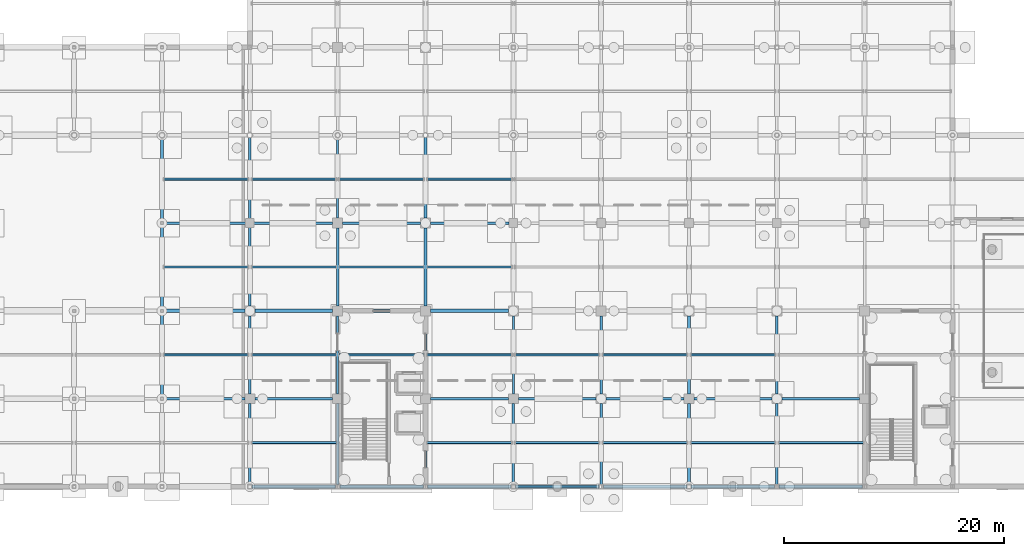
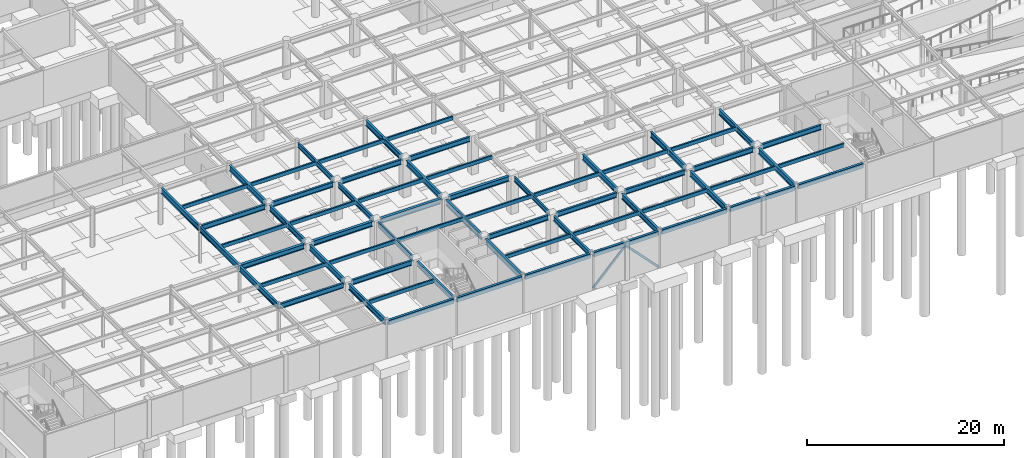
# One storey, part 45 of 105: 66 beams, 2 members.
"""IFC4 building model written with IfcOpenShell, lengths in metres."""

import ifcopenshell
import ifcopenshell.guid

model = None  # the IFC model being written
_history = None  # IfcOwnerHistory: only IFC2X3 demands one
_inside = {}  # id of a spatial element -> (the spatial element, [elements in it])
_under = {}  # id of a project, library or spatial element -> (it, [spatial elements below it])
_declared = {}  # id of a project -> (the project, [libraries it declares])
_typed = {}  # id of a type object -> (the type object, [elements of that type])
_made_of = {}  # id of a material, layer set ... -> (it, [elements and type objects made of it])


def new_model(schema):
    """Start an empty IFC model of exactly this schema.

    Asked for "IFC4X3", IfcOpenShell would pick the latest addendum, in which some entities
    have other attributes; the version numbers below select the first issue.
    IFC2X3 requires an IfcOwnerHistory on every rooted entity: one is made here for all.
    """
    global model, _history
    if schema == "IFC4X3":
        model = ifcopenshell.file(schema_version=(4, 3, 0, 0))
    else:
        model = ifcopenshell.file(schema=schema)
    _inside.clear()
    _under.clear()
    _declared.clear()
    _typed.clear()
    _made_of.clear()
    _history = None
    if model.schema == "IFC2X3":
        org = make("IfcOrganization", Name="unknown")
        user = make(
            "IfcPersonAndOrganization",
            ThePerson=make("IfcPerson", FamilyName="unknown"),
            TheOrganization=org,
        )
        app = make(
            "IfcApplication",
            ApplicationDeveloper=org,
            Version="unknown",
            ApplicationFullName="unknown",
            ApplicationIdentifier="unknown",
        )
        _history = make(
            "IfcOwnerHistory",
            OwningUser=user,
            OwningApplication=app,
            ChangeAction="ADDED",
            CreationDate=0,
        )
    return model


def make(cls, **values):
    """One entity of the class cls with the attributes given. An attribute that is None is left unset."""
    return model.create_entity(
        cls, **{name: value for name, value in values.items() if value is not None}
    )


def rooted(cls, **values):
    """An entity with a GlobalId (a new one), such as an element, a storey or a relation."""
    return make(cls, GlobalId=ifcopenshell.guid.new(), OwnerHistory=_history, **values)


def si_unit(unit_type, name, prefix=None):
    """IfcSIUnit, for example si_unit("LENGTHUNIT", "METRE", prefix="MILLI")."""
    return make("IfcSIUnit", UnitType=unit_type, Prefix=prefix, Name=name)


def assignment(units):
    """IfcUnitAssignment: the units of a project."""
    return None if units is None else make("IfcUnitAssignment", Units=units)


def point(xyz):
    """IfcCartesianPoint."""
    return None if xyz is None else make("IfcCartesianPoint", Coordinates=xyz)


def direction(xyz):
    """IfcDirection."""
    return None if xyz is None else make("IfcDirection", DirectionRatios=xyz)


def frame(location, z_axis=None, x_axis=None):
    """IfcAxis2Placement3D, a coordinate frame: its origin and axes. An axis left out is left unset."""
    return make(
        "IfcAxis2Placement3D",
        Location=point(location),
        Axis=direction(z_axis),
        RefDirection=direction(x_axis),
    )


def frame_2d(location, x_axis=None):
    """IfcAxis2Placement2D, a coordinate frame in the plane: its origin and x axis."""
    return make(
        "IfcAxis2Placement2D", Location=point(location), RefDirection=direction(x_axis)
    )


def origin():
    """The frame at (0, 0, 0) with its axes left unset."""
    return frame((0.0, 0.0, 0.0))


def origin_2d():
    """The frame at (0, 0) in the plane with its x axis left unset."""
    return frame_2d((0.0, 0.0))


def place(relative_to, where):
    """IfcLocalPlacement: puts the frame where relative to a parent placement (None: the world)."""
    return make(
        "IfcLocalPlacement", PlacementRelTo=relative_to, RelativePlacement=where
    )


def context(
    kind, dimensions, precision=None, world=None, true_north=None, identifier=None
):
    """IfcGeometricRepresentationContext, for example the 3D "Model" context."""
    return make(
        "IfcGeometricRepresentationContext",
        ContextIdentifier=identifier,
        ContextType=kind,
        CoordinateSpaceDimension=dimensions,
        Precision=precision,
        WorldCoordinateSystem=world,
        TrueNorth=true_north,
    )


def subcontext(parent, identifier, kind, view, scale=None):
    """IfcGeometricRepresentationSubContext, for example "Body" below "Model"."""
    return make(
        "IfcGeometricRepresentationSubContext",
        ContextIdentifier=identifier,
        ContextType=kind,
        ParentContext=parent,
        TargetScale=scale,
        TargetView=view,
    )


def project(units=None, contexts=None):
    """IfcProject with its units and contexts."""
    return rooted(
        "IfcProject",
        Name="project",
        RepresentationContexts=contexts,
        UnitsInContext=assignment(units),
    )


def spatial(cls, under=None, at=None, **own):
    """A site, building, storey or space (cls), placed at a placement, below another one or the project."""
    s = rooted(cls, ObjectPlacement=at, **own)
    if under is not None:
        _under.setdefault(under.id(), (under, []))[1].append(s)
    return s


def profile(cls, at=None, kind="AREA", **sizes):
    """A parametric profile (cls). Its sizes go by their IFC names, for example OverallWidth=200.0."""
    return make(cls, ProfileType=kind, Position=at, **sizes)


def hollow_rectangle(**sizes):
    """IfcRectangleHollowProfileDef."""
    return profile("IfcRectangleHollowProfileDef", **sizes)


def i_section(**sizes):
    """IfcIShapeProfileDef."""
    return profile("IfcIShapeProfileDef", **sizes)


def extrude(swept, where, along, depth):
    """IfcExtrudedAreaSolid: the profile swept, set in the frame where, extruded along a direction by depth."""
    return make(
        "IfcExtrudedAreaSolid",
        SweptArea=swept,
        Position=where,
        ExtrudedDirection=direction(along),
        Depth=depth,
    )


def shape(context_of_items, identifier, shape_type, items):
    """IfcShapeRepresentation: the items that make up one representation, for example the "Body"."""
    return make(
        "IfcShapeRepresentation",
        ContextOfItems=context_of_items,
        RepresentationIdentifier=identifier,
        RepresentationType=shape_type,
        Items=items,
    )


def material(Name=None, Category=None):
    """IfcMaterial."""
    return make("IfcMaterial", Name=Name, Category=Category)


def material_profile(
    of_material, cross_section, Name=None, Category=None, Priority=None
):
    """IfcMaterialProfile: a cross section and its material."""
    return make(
        "IfcMaterialProfile",
        Name=Name,
        Material=of_material,
        Profile=cross_section,
        Priority=Priority,
        Category=Category,
    )


def profile_set(profiles, Name=None, composite=None):
    """IfcMaterialProfileSet."""
    return make(
        "IfcMaterialProfileSet",
        Name=Name,
        MaterialProfiles=profiles,
        CompositeProfile=composite,
    )


def made_of(thing, what):
    """Note that an element or type object is made of a material, layer set ...; save() writes the relation."""
    if what is not None:
        _made_of.setdefault(what.id(), (what, []))[1].append(thing)
    return thing


def type_object(cls, material=None, **own):
    """A type object (cls), such as IfcWallType, which elements share."""
    return made_of(rooted(cls, **own), material)


def element(
    cls,
    number,
    at=None,
    inside=None,
    cuts=None,
    type_object=None,
    material=None,
    context=None,
    identifier="Body",
    shape_type=None,
    held_by="IfcProductDefinitionShape",
    body=None,
    shapes=None,
    **own,
):
    """One element of the class cls, such as IfcWall. Its Tag is "e" and its number.

    at: its placement. inside: the storey or other place that contains it. cuts: it is an
    opening in that element (IfcRelVoidsElement). A single representation is given by context,
    identifier, shape_type and body (its items); several are given by shapes. held_by: the class
    of the entity that holds the representations. save() writes the other relations.
    """
    e = rooted(cls, Tag="e%d" % number, ObjectPlacement=at, **own)
    if body is not None:
        shapes = [shape(context, identifier, shape_type, body)]
    if shapes is not None:
        e.Representation = make(held_by, Representations=shapes)
    if inside is not None:
        _inside.setdefault(inside.id(), (inside, []))[1].append(e)
    if cuts is not None:
        rooted(
            "IfcRelVoidsElement", RelatingBuildingElement=cuts, RelatedOpeningElement=e
        )
    if type_object is not None:
        _typed.setdefault(type_object.id(), (type_object, []))[1].append(e)
    return made_of(e, material)


def aggregate(whole, parts):
    """IfcRelAggregates: a whole, such as a stair, and the parts it consists of."""
    return rooted("IfcRelAggregates", RelatingObject=whole, RelatedObjects=parts)


def save(model, path):
    """Write the relations noted so far, then the file.

    IfcRelAggregates (storeys below a building ...), IfcRelContainedInSpatialStructure (elements
    in a storey), IfcRelDefinesByType, IfcRelAssociatesMaterial and IfcRelDeclares: one each for
    every whole, place, type object, material and project.
    """
    for whole, parts in _under.values():
        aggregate(whole, parts)
    for where, things in _inside.values():
        rooted(
            "IfcRelContainedInSpatialStructure",
            RelatedElements=things,
            RelatingStructure=where,
        )
    for kind, things in _typed.values():
        rooted("IfcRelDefinesByType", RelatedObjects=things, RelatingType=kind)
    for what, things in _made_of.values():
        rooted("IfcRelAssociatesMaterial", RelatedObjects=things, RelatingMaterial=what)
    for by, libraries in _declared.values():
        rooted("IfcRelDeclares", RelatingContext=by, RelatedDefinitions=libraries)
    model.write(path)


model = new_model("IFC4")

# Units and contexts
model_context = context("Model", 3, precision=1e-05, world=origin(), true_north=direction((0.0, 1.0)))
body_context = subcontext(model_context, "Body", "Model", "MODEL_VIEW")
ifc_project = project(units=[si_unit("LENGTHUNIT", "METRE"), si_unit("AREAUNIT", "SQUARE_METRE"), si_unit("VOLUMEUNIT", "CUBIC_METRE"), si_unit("PLANEANGLEUNIT", "RADIAN"), si_unit("MASSUNIT", "GRAM", prefix="KILO")], contexts=[model_context])

# Site, building, storey
site_placement = place(None, origin())
site = spatial("IfcSite", under=ifc_project, at=site_placement, CompositionType="ELEMENT")
building_placement = place(site_placement, origin())
building = spatial("IfcBuilding", under=site, at=building_placement, Name="Solmirada Galleria", CompositionType="ELEMENT")
storey_placement = place(building_placement, frame((0.0, 0.0, -4.800048828125)))
storey = spatial("IfcBuildingStorey", under=building, at=storey_placement, Name="B1", CompositionType="ELEMENT", Elevation=-4.800048828125)

# Beams
ifc_material_1 = material(Name="Steel S355 / ASTM A992 Grade 50", Category="steel")
ifc_material_profile_1 = material_profile(ifc_material_1, i_section(OverallWidth=0.323974609375, OverallDepth=0.611083984375, WebThickness=0.0126953125, FlangeThickness=0.01904296875, FilletRadius=0.014892578125, at=origin_2d()), Name="W24X104")
ifc_profile_set_1 = profile_set([ifc_material_profile_1], Name="Steel S355 / ASTM A992 Grade 50")
beam_type_1 = type_object("IfcBeamType", Name="BM-GIRD-W24A", PredefinedType="BEAM", material=ifc_profile_set_1)
beam_1_placement = place(storey_placement, frame((72.126953125, 16.0, 4.274658203125), z_axis=(1.0, 0.0, 0.0), x_axis=(0.0, 1.0, 0.0)))
element("IfcBeam", 1, at=beam_1_placement, inside=storey, type_object=beam_type_1, Name="Primary beam L00 X(72..80, 16)", PredefinedType="BEAM", context=body_context, shape_type="SweptSolid", body=[
    extrude(i_section(OverallWidth=0.323974609375, OverallDepth=0.611083984375, WebThickness=0.0126953125, FlangeThickness=0.01904296875, FilletRadius=0.014892578125, at=origin_2d()), origin(), (0.0, 0.0, 1.0), 7.423095703125),
])
for number, where, z_axis, x_axis, name in (
    (2, (80.449951171875, 16.0, 4.274658203125), (1.0, 0.0, 0.0), (0.0, 1.0, 0.0), "Primary beam L00 X(80..88, 16)"),
    (3, (88.449951171875, 16.0, 4.274658203125), (1.0, 0.0, 0.0), (0.0, 1.0, 0.0), "Primary beam L00 X(88..96, 16)"),
    (4, (96.449951171875, 16.0, 4.274658203125), (1.0, 0.0, 0.0), (0.0, 1.0, 0.0), "Primary beam L00 X(96..104, 16)"),
):
    element("IfcBeam", number, at=place(storey_placement, frame(where, z_axis=z_axis, x_axis=x_axis)), inside=storey, type_object=beam_type_1, Name=name, PredefinedType="BEAM", context=body_context, shape_type="SweptSolid", body=[
        extrude(i_section(OverallWidth=0.323974609375, OverallDepth=0.611083984375, WebThickness=0.0126953125, FlangeThickness=0.01904296875, FilletRadius=0.014892578125, at=origin_2d()), origin(), (0.0, 0.0, 1.0), 7.10009765625),
    ])
ifc_material_profile_2 = material_profile(ifc_material_1, i_section(OverallWidth=0.22900390625, OverallDepth=0.612060546875, WebThickness=0.011962890625, FlangeThickness=0.01953125, FilletRadius=0.014892578125, at=origin_2d()), Name="W24X84")
ifc_profile_set_2 = profile_set([ifc_material_profile_2], Name="Steel S355 / ASTM A992 Grade 50")
beam_type_2 = type_object("IfcBeamType", Name="BM-GIRD-W24B", PredefinedType="BEAM", material=ifc_profile_set_2)
beam_2_placement = place(storey_placement, frame((72.126953125, 8.0, 4.274169921875), z_axis=(1.0, 0.0, 0.0), x_axis=(0.0, 1.0, 0.0)))
element("IfcBeam", 5, at=beam_2_placement, inside=storey, type_object=beam_type_2, Name="Primary beam L00 X(72..80, 8)", PredefinedType="BEAM", context=body_context, shape_type="SweptSolid", body=[
    extrude(i_section(OverallWidth=0.22900390625, OverallDepth=0.612060546875, WebThickness=0.011962890625, FlangeThickness=0.01953125, FilletRadius=0.014892578125, at=origin_2d()), origin(), (0.0, 0.0, 1.0), 7.423095703125),
])
beam_3_placement = place(storey_placement, frame((72.126953125, 24.0, 4.274169921875), z_axis=(1.0, 0.0, 0.0), x_axis=(0.0, 1.0, 0.0)))
element("IfcBeam", 6, at=beam_3_placement, inside=storey, type_object=beam_type_2, Name="Primary beam L00 X(72..80, 24)", PredefinedType="BEAM", context=body_context, shape_type="SweptSolid", body=[
    extrude(i_section(OverallWidth=0.22900390625, OverallDepth=0.612060546875, WebThickness=0.011962890625, FlangeThickness=0.01953125, FilletRadius=0.014892578125, at=origin_2d()), origin(), (0.0, 0.0, 1.0), 7.47314453125),
])
beam_4_placement = place(storey_placement, frame((80.449951171875, 8.0, 4.274169921875), z_axis=(1.0, 0.0, 0.0), x_axis=(0.0, 1.0, 0.0)))
element("IfcBeam", 7, at=beam_4_placement, inside=storey, type_object=beam_type_2, Name="Primary beam L00 X(80..88, 8)", PredefinedType="BEAM", context=body_context, shape_type="SweptSolid", body=[
    extrude(i_section(OverallWidth=0.22900390625, OverallDepth=0.612060546875, WebThickness=0.011962890625, FlangeThickness=0.01953125, FilletRadius=0.014892578125, at=origin_2d()), origin(), (0.0, 0.0, 1.0), 7.10009765625),
])
beam_5_placement = place(storey_placement, frame((80.39990234375, 24.0, 4.274169921875), z_axis=(1.0, 0.0, 0.0), x_axis=(0.0, 1.0, 0.0)))
element("IfcBeam", 8, at=beam_5_placement, inside=storey, type_object=beam_type_2, Name="Primary beam L00 X(80..88, 24)", PredefinedType="BEAM", context=body_context, shape_type="SweptSolid", body=[
    extrude(i_section(OverallWidth=0.22900390625, OverallDepth=0.612060546875, WebThickness=0.011962890625, FlangeThickness=0.01953125, FilletRadius=0.014892578125, at=origin_2d()), origin(), (0.0, 0.0, 1.0), 7.150146484375),
])
for number, where, z_axis, x_axis, name in (
    (9, (88.449951171875, 24.0, 4.274169921875), (1.0, 0.0, 0.0), (0.0, 1.0, 0.0), "Primary beam L00 X(88..96, 24)"),
    (10, (96.449951171875, 8.0, 4.274169921875), (1.0, 0.0, 0.0), (0.0, 1.0, 0.0), "Primary beam L00 X(96..104, 8)"),
):
    element("IfcBeam", number, at=place(storey_placement, frame(where, z_axis=z_axis, x_axis=x_axis)), inside=storey, type_object=beam_type_2, Name=name, PredefinedType="BEAM", context=body_context, shape_type="SweptSolid", body=[
        extrude(i_section(OverallWidth=0.22900390625, OverallDepth=0.612060546875, WebThickness=0.011962890625, FlangeThickness=0.01953125, FilletRadius=0.014892578125, at=origin_2d()), origin(), (0.0, 0.0, 1.0), 7.10009765625),
    ])
beam_6_placement = place(storey_placement, frame((96.449951171875, 24.0, 4.274169921875), z_axis=(1.0, 0.0, 0.0), x_axis=(0.0, 1.0, 0.0)))
element("IfcBeam", 11, at=beam_6_placement, inside=storey, type_object=beam_type_2, Name="Primary beam L00 X(96..104, 24)", PredefinedType="BEAM", context=body_context, shape_type="SweptSolid", body=[
    extrude(i_section(OverallWidth=0.22900390625, OverallDepth=0.612060546875, WebThickness=0.011962890625, FlangeThickness=0.01953125, FilletRadius=0.014892578125, at=origin_2d()), origin(), (0.0, 0.0, 1.0), 7.150146484375),
])
for number, where, z_axis, x_axis, name in (
    (12, (104.449951171875, 8.0, 4.274169921875), (1.0, 0.0, 0.0), (0.0, 1.0, 0.0), "Primary beam L00 X(104..112, 8)"),
    (13, (112.449951171875, 8.0, 4.274169921875), (1.0, 0.0, 0.0), (0.0, 1.0, 0.0), "Primary beam L00 X(112..120, 8)"),
    (14, (120.449951171875, 8.0, 4.274169921875), (1.0, 0.0, 0.0), (0.0, 1.0, 0.0), "Primary beam L00 X(120..128, 8)"),
    (15, (128.449951171875, 8.0, 4.274169921875), (1.0, 0.0, 0.0), (0.0, 1.0, 0.0), "Primary beam L00 X(128..136, 8)"),
):
    element("IfcBeam", number, at=place(storey_placement, frame(where, z_axis=z_axis, x_axis=x_axis)), inside=storey, type_object=beam_type_2, Name=name, PredefinedType="BEAM", context=body_context, shape_type="SweptSolid", body=[
        extrude(i_section(OverallWidth=0.22900390625, OverallDepth=0.612060546875, WebThickness=0.011962890625, FlangeThickness=0.01953125, FilletRadius=0.014892578125, at=origin_2d()), origin(), (0.0, 0.0, 1.0), 7.10009765625),
    ])
ifc_material_profile_3 = material_profile(ifc_material_1, i_section(OverallWidth=0.22802734375, OverallDepth=0.60302734375, WebThickness=0.010498046875, FlangeThickness=0.014892578125, FilletRadius=0.014892578125, at=origin_2d()), Name="W24X68")
ifc_profile_set_3 = profile_set([ifc_material_profile_3], Name="Steel S355 / ASTM A992 Grade 50")
beam_type_3 = type_object("IfcBeamType", Name="BM-GIRD-W24C", PredefinedType="BEAM", material=ifc_profile_set_3)
beam_7_placement = place(storey_placement, frame((88.0, 0.202880859375, 4.278564453125), z_axis=(0.0, 1.0, 0.0), x_axis=(-1.0, 0.0, 0.0)))
element("IfcBeam", 16, at=beam_7_placement, inside=storey, type_object=beam_type_3, Name="Primary girder L00 Y(88, 0..8)", PredefinedType="BEAM", context=body_context, shape_type="SweptSolid", body=[
    extrude(i_section(OverallWidth=0.22802734375, OverallDepth=0.60302734375, WebThickness=0.010498046875, FlangeThickness=0.014892578125, FilletRadius=0.014892578125, at=origin_2d()), origin(), (0.0, 0.0, 1.0), 7.34716796875),
])
beam_8_placement = place(storey_placement, frame((88.0, 16.449951171875, 4.278564453125), z_axis=(0.0, 1.0, 0.0), x_axis=(-1.0, 0.0, 0.0)))
element("IfcBeam", 17, at=beam_8_placement, inside=storey, type_object=beam_type_3, Name="Primary girder L00 Y(88, 16..24)", PredefinedType="BEAM", context=body_context, shape_type="SweptSolid", body=[
    extrude(i_section(OverallWidth=0.22802734375, OverallDepth=0.60302734375, WebThickness=0.010498046875, FlangeThickness=0.014892578125, FilletRadius=0.014892578125, at=origin_2d()), origin(), (0.0, 0.0, 1.0), 7.10009765625),
])
beam_9_placement = place(storey_placement, frame((104.0, 0.202880859375, 4.278564453125), z_axis=(0.0, 1.0, 0.0), x_axis=(-1.0, 0.0, 0.0)))
element("IfcBeam", 18, at=beam_9_placement, inside=storey, type_object=beam_type_3, Name="Primary girder L00 Y(104, 0..8)", PredefinedType="BEAM", context=body_context, shape_type="SweptSolid", body=[
    extrude(i_section(OverallWidth=0.22802734375, OverallDepth=0.60302734375, WebThickness=0.010498046875, FlangeThickness=0.014892578125, FilletRadius=0.014892578125, at=origin_2d()), origin(), (0.0, 0.0, 1.0), 7.34716796875),
])
ifc_material_profile_4 = material_profile(ifc_material_1, i_section(OverallWidth=0.177978515625, OverallDepth=0.59912109375, WebThickness=0.010009765625, FlangeThickness=0.0126953125, FilletRadius=0.013916015625, at=origin_2d()), Name="W24X55")
ifc_profile_set_4 = profile_set([ifc_material_profile_4], Name="Steel S355 / ASTM A992 Grade 50")
beam_type_4 = type_object("IfcBeamType", Name="BM-GIRD-W24D", PredefinedType="BEAM", material=ifc_profile_set_4)
beam_10_placement = place(storey_placement, frame((88.0, 8.449951171875, 4.280517578125), z_axis=(0.0, 1.0, 0.0), x_axis=(-1.0, 0.0, 0.0)))
element("IfcBeam", 19, at=beam_10_placement, inside=storey, type_object=beam_type_4, Name="Primary girder L00 Y(88, 8..16)", PredefinedType="BEAM", context=body_context, shape_type="SweptSolid", body=[
    extrude(i_section(OverallWidth=0.177978515625, OverallDepth=0.59912109375, WebThickness=0.010009765625, FlangeThickness=0.0126953125, FilletRadius=0.013916015625, at=origin_2d()), origin(), (0.0, 0.0, 1.0), 7.10009765625),
])
beam_11_placement = place(storey_placement, frame((88.0, 24.449951171875, 4.280517578125), z_axis=(0.0, 1.0, 0.0), x_axis=(-1.0, 0.0, 0.0)))
element("IfcBeam", 20, at=beam_11_placement, inside=storey, type_object=beam_type_4, Name="Primary girder L00 Y(88, 24..32)", PredefinedType="BEAM", context=body_context, shape_type="SweptSolid", body=[
    extrude(i_section(OverallWidth=0.177978515625, OverallDepth=0.59912109375, WebThickness=0.010009765625, FlangeThickness=0.0126953125, FilletRadius=0.013916015625, at=origin_2d()), origin(), (0.0, 0.0, 1.0), 7.358154296875),
])
beam_12_placement = place(storey_placement, frame((104.0, 8.449951171875, 4.280517578125), z_axis=(0.0, 1.0, 0.0), x_axis=(-1.0, 0.0, 0.0)))
element("IfcBeam", 21, at=beam_12_placement, inside=storey, type_object=beam_type_4, Name="Primary girder L00 Y(104, 8..16)", PredefinedType="BEAM", context=body_context, shape_type="SweptSolid", body=[
    extrude(i_section(OverallWidth=0.177978515625, OverallDepth=0.59912109375, WebThickness=0.010009765625, FlangeThickness=0.0126953125, FilletRadius=0.013916015625, at=origin_2d()), origin(), (0.0, 0.0, 1.0), 7.10009765625),
])
ifc_material_profile_5 = material_profile(ifc_material_1, i_section(OverallWidth=0.256103515625, OverallDepth=0.693115234375, WebThickness=0.014404296875, FlangeThickness=0.023681640625, FilletRadius=0.01806640625, at=origin_2d()), Name="W27X114")
ifc_profile_set_5 = profile_set([ifc_material_profile_5], Name="Steel S355 / ASTM A992 Grade 50")
beam_type_5 = type_object("IfcBeamType", Name="BM-GIRD-W27A", PredefinedType="BEAM", material=ifc_profile_set_5)
for number, where, z_axis, x_axis, name in (
    (22, (72.0, 8.126953125, 4.233642578125), (0.0, 1.0, 0.0), (-1.0, 0.0, 0.0), "Primary girder L00 Y(72, 8..16)"),
    (23, (72.0, 16.126953125, 4.233642578125), (0.0, 1.0, 0.0), (-1.0, 0.0, 0.0), "Primary girder L00 Y(72, 16..24)"),
):
    element("IfcBeam", number, at=place(storey_placement, frame(where, z_axis=z_axis, x_axis=x_axis)), inside=storey, type_object=beam_type_5, Name=name, PredefinedType="BEAM", context=body_context, shape_type="SweptSolid", body=[
        extrude(i_section(OverallWidth=0.256103515625, OverallDepth=0.693115234375, WebThickness=0.014404296875, FlangeThickness=0.023681640625, FilletRadius=0.01806640625, at=origin_2d()), origin(), (0.0, 0.0, 1.0), 7.74609375),
    ])
beam_13_placement = place(storey_placement, frame((72.0, 24.126953125, 4.233642578125), z_axis=(0.0, 1.0, 0.0), x_axis=(-1.0, 0.0, 0.0)))
element("IfcBeam", 24, at=beam_13_placement, inside=storey, type_object=beam_type_5, Name="Primary girder L00 Y(72, 24..32)", PredefinedType="BEAM", context=body_context, shape_type="SweptSolid", body=[
    extrude(i_section(OverallWidth=0.256103515625, OverallDepth=0.693115234375, WebThickness=0.014404296875, FlangeThickness=0.023681640625, FilletRadius=0.01806640625, at=origin_2d()), origin(), (0.0, 0.0, 1.0), 7.65966796875),
])
beam_14_placement = place(storey_placement, frame((96.0, 0.202880859375, 4.233642578125), z_axis=(0.0, 1.0, 0.0), x_axis=(-1.0, 0.0, 0.0)))
element("IfcBeam", 25, at=beam_14_placement, inside=storey, type_object=beam_type_5, Name="Primary girder L00 Y(96, 0..8)", PredefinedType="BEAM", context=body_context, shape_type="SweptSolid", body=[
    extrude(i_section(OverallWidth=0.256103515625, OverallDepth=0.693115234375, WebThickness=0.014404296875, FlangeThickness=0.023681640625, FilletRadius=0.01806640625, at=origin_2d()), origin(), (0.0, 0.0, 1.0), 7.34716796875),
])
for number, where, z_axis, x_axis, name in (
    (26, (96.0, 8.449951171875, 4.233642578125), (0.0, 1.0, 0.0), (-1.0, 0.0, 0.0), "Primary girder L00 Y(96, 8..16)"),
    (27, (96.0, 16.449951171875, 4.233642578125), (0.0, 1.0, 0.0), (-1.0, 0.0, 0.0), "Primary girder L00 Y(96, 16..24)"),
):
    element("IfcBeam", number, at=place(storey_placement, frame(where, z_axis=z_axis, x_axis=x_axis)), inside=storey, type_object=beam_type_5, Name=name, PredefinedType="BEAM", context=body_context, shape_type="SweptSolid", body=[
        extrude(i_section(OverallWidth=0.256103515625, OverallDepth=0.693115234375, WebThickness=0.014404296875, FlangeThickness=0.023681640625, FilletRadius=0.01806640625, at=origin_2d()), origin(), (0.0, 0.0, 1.0), 7.10009765625),
    ])
beam_15_placement = place(storey_placement, frame((96.0, 24.449951171875, 4.233642578125), z_axis=(0.0, 1.0, 0.0), x_axis=(-1.0, 0.0, 0.0)))
element("IfcBeam", 28, at=beam_15_placement, inside=storey, type_object=beam_type_5, Name="Primary girder L00 Y(96, 24..32)", PredefinedType="BEAM", context=body_context, shape_type="SweptSolid", body=[
    extrude(i_section(OverallWidth=0.256103515625, OverallDepth=0.693115234375, WebThickness=0.014404296875, FlangeThickness=0.023681640625, FilletRadius=0.01806640625, at=origin_2d()), origin(), (0.0, 0.0, 1.0), 7.358154296875),
])
beam_16_placement = place(storey_placement, frame((120.0, 0.202880859375, 4.233642578125), z_axis=(0.0, 1.0, 0.0), x_axis=(-1.0, 0.0, 0.0)))
element("IfcBeam", 29, at=beam_16_placement, inside=storey, type_object=beam_type_5, Name="Primary girder L00 Y(120, 0..8)", PredefinedType="BEAM", context=body_context, shape_type="SweptSolid", body=[
    extrude(i_section(OverallWidth=0.256103515625, OverallDepth=0.693115234375, WebThickness=0.014404296875, FlangeThickness=0.023681640625, FilletRadius=0.01806640625, at=origin_2d()), origin(), (0.0, 0.0, 1.0), 7.34716796875),
])
beam_17_placement = place(storey_placement, frame((120.0, 8.449951171875, 4.233642578125), z_axis=(0.0, 1.0, 0.0), x_axis=(-1.0, 0.0, 0.0)))
element("IfcBeam", 30, at=beam_17_placement, inside=storey, type_object=beam_type_5, Name="Primary girder L00 Y(120, 8..16)", PredefinedType="BEAM", context=body_context, shape_type="SweptSolid", body=[
    extrude(i_section(OverallWidth=0.256103515625, OverallDepth=0.693115234375, WebThickness=0.014404296875, FlangeThickness=0.023681640625, FilletRadius=0.01806640625, at=origin_2d()), origin(), (0.0, 0.0, 1.0), 7.10009765625),
])
ifc_material_profile_6 = material_profile(ifc_material_1, i_section(OverallWidth=0.25390625, OverallDepth=0.68408203125, WebThickness=0.012451171875, FlangeThickness=0.018798828125, FilletRadius=0.01708984375, at=origin_2d()), Name="W27X94")
ifc_profile_set_6 = profile_set([ifc_material_profile_6], Name="Steel S355 / ASTM A992 Grade 50")
beam_type_6 = type_object("IfcBeamType", Name="BM-GIRD-W27B", PredefinedType="BEAM", material=ifc_profile_set_6)
beam_18_placement = place(storey_placement, frame((80.0, 0.202880859375, 4.238037109375), z_axis=(0.0, 1.0, 0.0), x_axis=(-1.0, 0.0, 0.0)))
element("IfcBeam", 31, at=beam_18_placement, inside=storey, type_object=beam_type_6, Name="Primary girder L00 Y(80, 0..8)", PredefinedType="BEAM", context=body_context, shape_type="SweptSolid", body=[
    extrude(i_section(OverallWidth=0.25390625, OverallDepth=0.68408203125, WebThickness=0.012451171875, FlangeThickness=0.018798828125, FilletRadius=0.01708984375, at=origin_2d()), origin(), (0.0, 0.0, 1.0), 7.34716796875),
])
beam_19_placement = place(storey_placement, frame((80.0, 8.449951171875, 4.238037109375), z_axis=(0.0, 1.0, 0.0), x_axis=(-1.0, 0.0, 0.0)))
element("IfcBeam", 32, at=beam_19_placement, inside=storey, type_object=beam_type_6, Name="Primary girder L00 Y(80, 8..16)", PredefinedType="BEAM", context=body_context, shape_type="SweptSolid", body=[
    extrude(i_section(OverallWidth=0.25390625, OverallDepth=0.68408203125, WebThickness=0.012451171875, FlangeThickness=0.018798828125, FilletRadius=0.01708984375, at=origin_2d()), origin(), (0.0, 0.0, 1.0), 7.10009765625),
])
beam_20_placement = place(storey_placement, frame((80.0, 16.449951171875, 4.238037109375), z_axis=(0.0, 1.0, 0.0), x_axis=(-1.0, 0.0, 0.0)))
element("IfcBeam", 33, at=beam_20_placement, inside=storey, type_object=beam_type_6, Name="Primary girder L00 Y(80, 16..24)", PredefinedType="BEAM", context=body_context, shape_type="SweptSolid", body=[
    extrude(i_section(OverallWidth=0.25390625, OverallDepth=0.68408203125, WebThickness=0.012451171875, FlangeThickness=0.018798828125, FilletRadius=0.01708984375, at=origin_2d()), origin(), (0.0, 0.0, 1.0), 7.150146484375),
])
beam_21_placement = place(storey_placement, frame((80.0, 24.39990234375, 4.238037109375), z_axis=(0.0, 1.0, 0.0), x_axis=(-1.0, 0.0, 0.0)))
element("IfcBeam", 34, at=beam_21_placement, inside=storey, type_object=beam_type_6, Name="Primary girder L00 Y(80, 24..32)", PredefinedType="BEAM", context=body_context, shape_type="SweptSolid", body=[
    extrude(i_section(OverallWidth=0.25390625, OverallDepth=0.68408203125, WebThickness=0.012451171875, FlangeThickness=0.018798828125, FilletRadius=0.01708984375, at=origin_2d()), origin(), (0.0, 0.0, 1.0), 7.38671875),
])
beam_22_placement = place(storey_placement, frame((112.0, 0.202880859375, 4.238037109375), z_axis=(0.0, 1.0, 0.0), x_axis=(-1.0, 0.0, 0.0)))
element("IfcBeam", 35, at=beam_22_placement, inside=storey, type_object=beam_type_6, Name="Primary girder L00 Y(112, 0..8)", PredefinedType="BEAM", context=body_context, shape_type="SweptSolid", body=[
    extrude(i_section(OverallWidth=0.25390625, OverallDepth=0.68408203125, WebThickness=0.012451171875, FlangeThickness=0.018798828125, FilletRadius=0.01708984375, at=origin_2d()), origin(), (0.0, 0.0, 1.0), 7.34716796875),
])
beam_23_placement = place(storey_placement, frame((112.0, 8.449951171875, 4.238037109375), z_axis=(0.0, 1.0, 0.0), x_axis=(-1.0, 0.0, 0.0)))
element("IfcBeam", 36, at=beam_23_placement, inside=storey, type_object=beam_type_6, Name="Primary girder L00 Y(112, 8..16)", PredefinedType="BEAM", context=body_context, shape_type="SweptSolid", body=[
    extrude(i_section(OverallWidth=0.25390625, OverallDepth=0.68408203125, WebThickness=0.012451171875, FlangeThickness=0.018798828125, FilletRadius=0.01708984375, at=origin_2d()), origin(), (0.0, 0.0, 1.0), 7.10009765625),
])
beam_24_placement = place(storey_placement, frame((128.0, 0.202880859375, 4.238037109375), z_axis=(0.0, 1.0, 0.0), x_axis=(-1.0, 0.0, 0.0)))
element("IfcBeam", 37, at=beam_24_placement, inside=storey, type_object=beam_type_6, Name="Primary girder L00 Y(128, 0..8)", PredefinedType="BEAM", context=body_context, shape_type="SweptSolid", body=[
    extrude(i_section(OverallWidth=0.25390625, OverallDepth=0.68408203125, WebThickness=0.012451171875, FlangeThickness=0.018798828125, FilletRadius=0.01708984375, at=origin_2d()), origin(), (0.0, 0.0, 1.0), 7.34716796875),
])
beam_25_placement = place(storey_placement, frame((128.0, 8.449951171875, 4.238037109375), z_axis=(0.0, 1.0, 0.0), x_axis=(-1.0, 0.0, 0.0)))
element("IfcBeam", 38, at=beam_25_placement, inside=storey, type_object=beam_type_6, Name="Primary girder L00 Y(128, 8..16)", PredefinedType="BEAM", context=body_context, shape_type="SweptSolid", body=[
    extrude(i_section(OverallWidth=0.25390625, OverallDepth=0.68408203125, WebThickness=0.012451171875, FlangeThickness=0.018798828125, FilletRadius=0.01708984375, at=origin_2d()), origin(), (0.0, 0.0, 1.0), 7.10009765625),
])
ifc_material_2 = material(Name="Steel S355 / ASTM A500 Grade C", Category="steel")
ifc_material_profile_7 = material_profile(ifc_material_2, hollow_rectangle(XDim=0.202880859375, YDim=0.45703125, WallThickness=0.01171875, InnerFilletRadius=0.01171875, OuterFilletRadius=0.023681640625, at=origin_2d()), Name="HSS18X8X1/2")
ifc_profile_set_7 = profile_set([ifc_material_profile_7], Name="Steel S355 / ASTM A500 Grade C")
beam_type_7 = type_object("IfcBeamType", Name="BM-JST-W16A", PredefinedType="JOIST", material=ifc_profile_set_7)
for number, where, z_axis, x_axis, name in (
    (39, (72.1279296875, 12.0, 4.3515625), (1.0, 0.0, 0.0), (0.0, 1.0, 0.0), "Composite floor joist L00 (72..80, 12.0)"),
    (40, (72.1279296875, 20.0, 4.3515625), (1.0, 0.0, 0.0), (0.0, 1.0, 0.0), "Composite floor joist L00 (72..80, 20.0)"),
    (41, (72.1279296875, 28.0, 4.3515625), (1.0, 0.0, 0.0), (0.0, 1.0, 0.0), "Composite floor joist L00 (72..80, 28.0)"),
):
    element("IfcBeam", number, at=place(storey_placement, frame(where, z_axis=z_axis, x_axis=x_axis)), inside=storey, type_object=beam_type_7, Name=name, PredefinedType="JOIST", context=body_context, shape_type="SweptSolid", body=[
        extrude(hollow_rectangle(XDim=0.202880859375, YDim=0.45703125, WallThickness=0.01171875, InnerFilletRadius=0.01171875, OuterFilletRadius=0.023681640625, at=origin_2d()), origin(), (0.0, 0.0, 1.0), 7.7451171875),
    ])
beam_26_placement = place(storey_placement, frame((80.126953125, 4.0, 4.3515625), z_axis=(1.0, 0.0, 0.0), x_axis=(0.0, 1.0, 0.0)))
element("IfcBeam", 42, at=beam_26_placement, inside=storey, type_object=beam_type_7, Name="Composite floor joist L00 (80..88, 4.0)", PredefinedType="JOIST", context=body_context, shape_type="SweptSolid", body=[
    extrude(hollow_rectangle(XDim=0.202880859375, YDim=0.45703125, WallThickness=0.01171875, InnerFilletRadius=0.01171875, OuterFilletRadius=0.023681640625, at=origin_2d()), origin(), (0.0, 0.0, 1.0), 7.759033203125),
])
beam_27_placement = place(storey_placement, frame((80.126953125, 12.0, 4.3515625), z_axis=(1.0, 0.0, 0.0), x_axis=(0.0, 1.0, 0.0)))
element("IfcBeam", 43, at=beam_27_placement, inside=storey, type_object=beam_type_7, Name="Composite floor joist L00 (80..88, 12.0)", PredefinedType="JOIST", context=body_context, shape_type="SweptSolid", body=[
    extrude(hollow_rectangle(XDim=0.202880859375, YDim=0.45703125, WallThickness=0.01171875, InnerFilletRadius=0.01171875, OuterFilletRadius=0.023681640625, at=origin_2d()), origin(), (0.0, 0.0, 1.0), 7.783935546875),
])
beam_28_placement = place(storey_placement, frame((80.126953125, 20.0, 4.3515625), z_axis=(1.0, 0.0, 0.0), x_axis=(0.0, 1.0, 0.0)))
element("IfcBeam", 44, at=beam_28_placement, inside=storey, type_object=beam_type_7, Name="Composite floor joist L00 (80..88, 20.0)", PredefinedType="JOIST", context=body_context, shape_type="SweptSolid", body=[
    extrude(hollow_rectangle(XDim=0.202880859375, YDim=0.45703125, WallThickness=0.01171875, InnerFilletRadius=0.01171875, OuterFilletRadius=0.023681640625, at=origin_2d()), origin(), (0.0, 0.0, 1.0), 7.759033203125),
])
beam_29_placement = place(storey_placement, frame((80.126953125, 28.0, 4.3515625), z_axis=(1.0, 0.0, 0.0), x_axis=(0.0, 1.0, 0.0)))
element("IfcBeam", 45, at=beam_29_placement, inside=storey, type_object=beam_type_7, Name="Composite floor joist L00 (80..88, 28.0)", PredefinedType="JOIST", context=body_context, shape_type="SweptSolid", body=[
    extrude(hollow_rectangle(XDim=0.202880859375, YDim=0.45703125, WallThickness=0.01171875, InnerFilletRadius=0.01171875, OuterFilletRadius=0.023681640625, at=origin_2d()), origin(), (0.0, 0.0, 1.0), 7.783935546875),
])
beam_30_placement = place(storey_placement, frame((88.089111328125, 12.0, 4.3515625), z_axis=(1.0, 0.0, 0.0), x_axis=(0.0, 1.0, 0.0)))
element("IfcBeam", 46, at=beam_30_placement, inside=storey, type_object=beam_type_7, Name="Composite floor joist L00 (88..96, 12.0)", PredefinedType="JOIST", context=body_context, shape_type="SweptSolid", body=[
    extrude(hollow_rectangle(XDim=0.202880859375, YDim=0.45703125, WallThickness=0.01171875, InnerFilletRadius=0.01171875, OuterFilletRadius=0.023681640625, at=origin_2d()), origin(), (0.0, 0.0, 1.0), 7.782958984375),
])
beam_31_placement = place(storey_placement, frame((88.114013671875, 20.0, 4.3515625), z_axis=(1.0, 0.0, 0.0), x_axis=(0.0, 1.0, 0.0)))
element("IfcBeam", 47, at=beam_31_placement, inside=storey, type_object=beam_type_7, Name="Composite floor joist L00 (88..96, 20.0)", PredefinedType="JOIST", context=body_context, shape_type="SweptSolid", body=[
    extrude(hollow_rectangle(XDim=0.202880859375, YDim=0.45703125, WallThickness=0.01171875, InnerFilletRadius=0.01171875, OuterFilletRadius=0.023681640625, at=origin_2d()), origin(), (0.0, 0.0, 1.0), 7.758056640625),
])
beam_32_placement = place(storey_placement, frame((88.089111328125, 28.0, 4.3515625), z_axis=(1.0, 0.0, 0.0), x_axis=(0.0, 1.0, 0.0)))
element("IfcBeam", 48, at=beam_32_placement, inside=storey, type_object=beam_type_7, Name="Composite floor joist L00 (88..96, 28.0)", PredefinedType="JOIST", context=body_context, shape_type="SweptSolid", body=[
    extrude(hollow_rectangle(XDim=0.202880859375, YDim=0.45703125, WallThickness=0.01171875, InnerFilletRadius=0.01171875, OuterFilletRadius=0.023681640625, at=origin_2d()), origin(), (0.0, 0.0, 1.0), 7.782958984375),
])
beam_33_placement = place(storey_placement, frame((96.1279296875, 4.0, 4.3515625), z_axis=(1.0, 0.0, 0.0), x_axis=(0.0, 1.0, 0.0)))
element("IfcBeam", 49, at=beam_33_placement, inside=storey, type_object=beam_type_7, Name="Composite floor joist L00 (96..104, 4.0)", PredefinedType="JOIST", context=body_context, shape_type="SweptSolid", body=[
    extrude(hollow_rectangle(XDim=0.202880859375, YDim=0.45703125, WallThickness=0.01171875, InnerFilletRadius=0.01171875, OuterFilletRadius=0.023681640625, at=origin_2d()), origin(), (0.0, 0.0, 1.0), 7.758056640625),
])
beam_34_placement = place(storey_placement, frame((96.1279296875, 12.0, 4.3515625), z_axis=(1.0, 0.0, 0.0), x_axis=(0.0, 1.0, 0.0)))
element("IfcBeam", 50, at=beam_34_placement, inside=storey, type_object=beam_type_7, Name="Composite floor joist L00 (96..104, 12.0)", PredefinedType="JOIST", context=body_context, shape_type="SweptSolid", body=[
    extrude(hollow_rectangle(XDim=0.202880859375, YDim=0.45703125, WallThickness=0.01171875, InnerFilletRadius=0.01171875, OuterFilletRadius=0.023681640625, at=origin_2d()), origin(), (0.0, 0.0, 1.0), 7.782958984375),
])
beam_35_placement = place(storey_placement, frame((96.1279296875, 20.0, 4.3515625), z_axis=(1.0, 0.0, 0.0), x_axis=(0.0, 1.0, 0.0)))
element("IfcBeam", 51, at=beam_35_placement, inside=storey, type_object=beam_type_7, Name="Composite floor joist L00 (96..104, 20.0)", PredefinedType="JOIST", context=body_context, shape_type="SweptSolid", body=[
    extrude(hollow_rectangle(XDim=0.202880859375, YDim=0.45703125, WallThickness=0.01171875, InnerFilletRadius=0.01171875, OuterFilletRadius=0.023681640625, at=origin_2d()), origin(), (0.0, 0.0, 1.0), 7.758056640625),
])
beam_36_placement = place(storey_placement, frame((96.1279296875, 28.0, 4.3515625), z_axis=(1.0, 0.0, 0.0), x_axis=(0.0, 1.0, 0.0)))
element("IfcBeam", 52, at=beam_36_placement, inside=storey, type_object=beam_type_7, Name="Composite floor joist L00 (96..104, 28.0)", PredefinedType="JOIST", context=body_context, shape_type="SweptSolid", body=[
    extrude(hollow_rectangle(XDim=0.202880859375, YDim=0.45703125, WallThickness=0.01171875, InnerFilletRadius=0.01171875, OuterFilletRadius=0.023681640625, at=origin_2d()), origin(), (0.0, 0.0, 1.0), 7.782958984375),
])
beam_37_placement = place(storey_placement, frame((104.114013671875, 4.0, 4.3515625), z_axis=(1.0, 0.0, 0.0), x_axis=(0.0, 1.0, 0.0)))
element("IfcBeam", 53, at=beam_37_placement, inside=storey, type_object=beam_type_7, Name="Composite floor joist L00 (104..112, 4.0)", PredefinedType="JOIST", context=body_context, shape_type="SweptSolid", body=[
    extrude(hollow_rectangle(XDim=0.202880859375, YDim=0.45703125, WallThickness=0.01171875, InnerFilletRadius=0.01171875, OuterFilletRadius=0.023681640625, at=origin_2d()), origin(), (0.0, 0.0, 1.0), 7.759033203125),
])
beam_38_placement = place(storey_placement, frame((104.089111328125, 12.0, 4.3515625), z_axis=(1.0, 0.0, 0.0), x_axis=(0.0, 1.0, 0.0)))
element("IfcBeam", 54, at=beam_38_placement, inside=storey, type_object=beam_type_7, Name="Composite floor joist L00 (104..112, 12.0)", PredefinedType="JOIST", context=body_context, shape_type="SweptSolid", body=[
    extrude(hollow_rectangle(XDim=0.202880859375, YDim=0.45703125, WallThickness=0.01171875, InnerFilletRadius=0.01171875, OuterFilletRadius=0.023681640625, at=origin_2d()), origin(), (0.0, 0.0, 1.0), 7.783935546875),
])
for number, where, z_axis, x_axis, name in (
    (55, (112.126953125, 4.0, 4.3515625), (1.0, 0.0, 0.0), (0.0, 1.0, 0.0), "Composite floor joist L00 (112..120, 4.0)"),
    (56, (112.126953125, 12.0, 4.3515625), (1.0, 0.0, 0.0), (0.0, 1.0, 0.0), "Composite floor joist L00 (112..120, 12.0)"),
    (57, (120.1279296875, 4.0, 4.3515625), (1.0, 0.0, 0.0), (0.0, 1.0, 0.0), "Composite floor joist L00 (120..128, 4.0)"),
    (58, (120.1279296875, 12.0, 4.3515625), (1.0, 0.0, 0.0), (0.0, 1.0, 0.0), "Composite floor joist L00 (120..128, 12.0)"),
):
    element("IfcBeam", number, at=place(storey_placement, frame(where, z_axis=z_axis, x_axis=x_axis)), inside=storey, type_object=beam_type_7, Name=name, PredefinedType="JOIST", context=body_context, shape_type="SweptSolid", body=[
        extrude(hollow_rectangle(XDim=0.202880859375, YDim=0.45703125, WallThickness=0.01171875, InnerFilletRadius=0.01171875, OuterFilletRadius=0.023681640625, at=origin_2d()), origin(), (0.0, 0.0, 1.0), 7.7451171875),
    ])
beam_39_placement = place(storey_placement, frame((128.126953125, 4.0, 4.3515625), z_axis=(1.0, 0.0, 0.0), x_axis=(0.0, 1.0, 0.0)))
element("IfcBeam", 59, at=beam_39_placement, inside=storey, type_object=beam_type_7, Name="Composite floor joist L00 (128..136, 4.0)", PredefinedType="JOIST", context=body_context, shape_type="SweptSolid", body=[
    extrude(hollow_rectangle(XDim=0.202880859375, YDim=0.45703125, WallThickness=0.01171875, InnerFilletRadius=0.01171875, OuterFilletRadius=0.023681640625, at=origin_2d()), origin(), (0.0, 0.0, 1.0), 7.759033203125),
])
ifc_material_profile_8 = material_profile(ifc_material_2, hollow_rectangle(XDim=0.304931640625, YDim=0.55908203125, WallThickness=0.01171875, InnerFilletRadius=0.01171875, OuterFilletRadius=0.023681640625, at=origin_2d()), Name="HSS22X12X1/2")
ifc_profile_set_8 = profile_set([ifc_material_profile_8], Name="Steel S355 / ASTM A500 Grade C")
beam_type_8 = type_object("IfcBeamType", Name="BM-SPAND-W21", PredefinedType="SPANDREL", material=ifc_profile_set_8)
for number, where, z_axis, x_axis, name in (
    (60, (80.202880859375, 0.0, 4.300537109375), (1.0, 0.0, 0.0), (0.0, 1.0, 0.0), "Primary beam L00 X(80..88, 0)"),
    (61, (88.202880859375, 0.0, 4.300537109375), (1.0, 0.0, 0.0), (0.0, 1.0, 0.0), "Primary beam L00 X(88..96, 0)"),
    (62, (96.202880859375, 0.0, 4.300537109375), (1.0, 0.0, 0.0), (0.0, 1.0, 0.0), "Primary beam L00 X(96..104, 0)"),
    (63, (104.202880859375, 0.0, 4.300537109375), (1.0, 0.0, 0.0), (0.0, 1.0, 0.0), "Primary beam L00 X(104..112, 0)"),
    (64, (112.202880859375, 0.0, 4.300537109375), (1.0, 0.0, 0.0), (0.0, 1.0, 0.0), "Primary beam L00 X(112..120, 0)"),
    (65, (120.202880859375, 0.0, 4.300537109375), (1.0, 0.0, 0.0), (0.0, 1.0, 0.0), "Primary beam L00 X(120..128, 0)"),
    (66, (128.202880859375, 0.0, 4.300537109375), (1.0, 0.0, 0.0), (0.0, 1.0, 0.0), "Primary beam L00 X(128..136, 0)"),
):
    element("IfcBeam", number, at=place(storey_placement, frame(where, z_axis=z_axis, x_axis=x_axis)), inside=storey, type_object=beam_type_8, Name=name, PredefinedType="SPANDREL", context=body_context, shape_type="SweptSolid", body=[
        extrude(hollow_rectangle(XDim=0.304931640625, YDim=0.55908203125, WallThickness=0.01171875, InnerFilletRadius=0.01171875, OuterFilletRadius=0.023681640625, at=origin_2d()), origin(), (0.0, 0.0, 1.0), 7.59423828125),
    ])

# Members
ifc_material_profile_9 = material_profile(ifc_material_2, hollow_rectangle(XDim=0.152099609375, YDim=0.25390625, WallThickness=0.0087890625, InnerFilletRadius=0.0087890625, OuterFilletRadius=0.017822265625, at=origin_2d()), Name="HSS10X6X3/8")
ifc_profile_set_9 = profile_set([ifc_material_profile_9], Name="Steel S355 / ASTM A500 Grade C")
member_type = type_object("IfcMemberType", Name="MEM-CBF-EXT", PredefinedType="BRACE", material=ifc_profile_set_9)
for number, where, z_axis, x_axis, name in (
    (67, (104.202880859375, 0.0, 0.14013671875), (0.69393572357, 0.0, 0.720036951519), (0.0, 1.0, 0.0), "Braced frame diagonal CBF-S1 B1 A"),
    (68, (111.797119140625, 0.0, 0.14013671875), (-0.69393572357, 0.0, 0.720036951519), (0.0, -1.0, 0.0), "Braced frame diagonal CBF-S1 B1 B"),
):
    element("IfcMember", number, at=place(storey_placement, frame(where, z_axis=z_axis, x_axis=x_axis)), inside=storey, type_object=member_type, Name=name, PredefinedType="BRACE", context=body_context, shape_type="SweptSolid", body=[
        extrude(hollow_rectangle(XDim=0.152099609375, YDim=0.25390625, WallThickness=0.0087890625, InnerFilletRadius=0.0087890625, OuterFilletRadius=0.017822265625, at=origin_2d()), origin(), (0.0, 0.0, 1.0), 5.471923828125),
    ])

save(model, "model.ifc")
